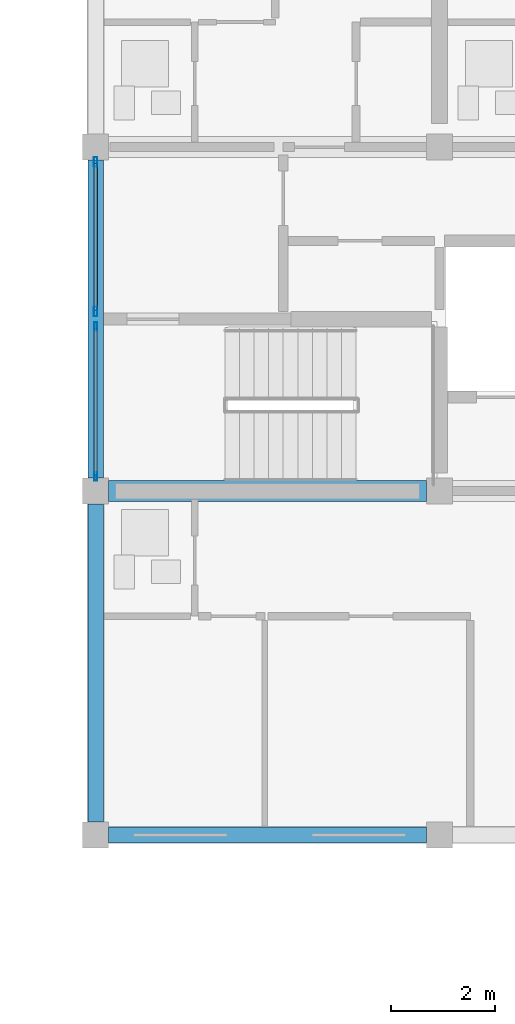
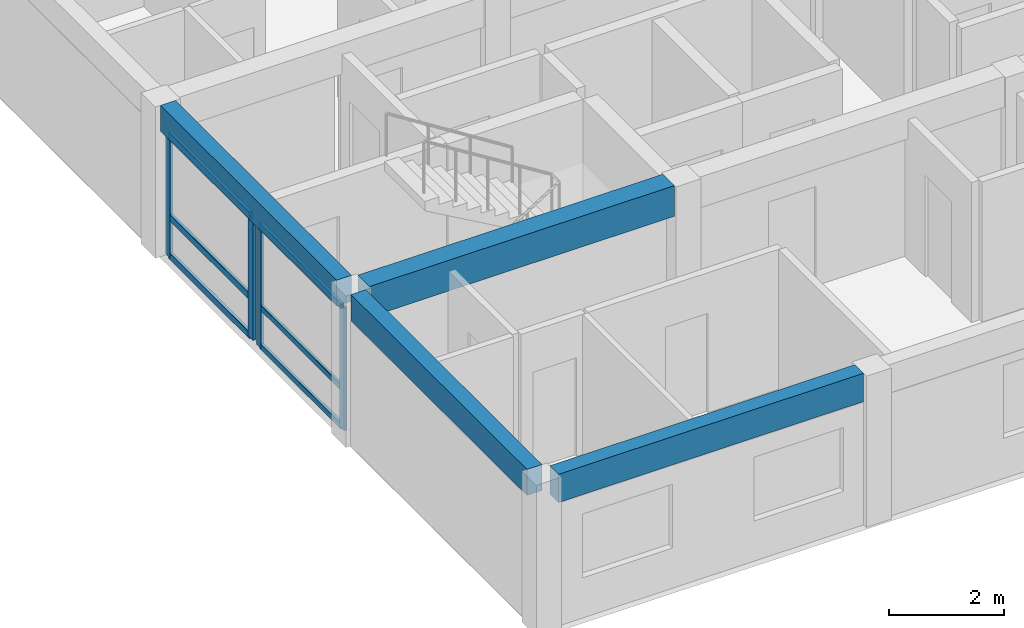
# One storey, part 19 of 45: 10 members, 4 beams, 2 elements without a shape of their own.
"""IFC4 building model written with IfcOpenShell, lengths in metres."""

from ifc_helpers import new_model, si_unit, direction, frame, origin, origin_2d, place, context, subcontext, project, spatial, rectangle, hollow_rectangle, extrude, material, material_profile, profile_set, type_object, element, aggregate, save


model = new_model("IFC4")

# Units and contexts
model_context = context("Model", 3, precision=1e-05, world=origin(), true_north=direction((0.0, 1.0)))
body_context = subcontext(model_context, "Body", "Model", "MODEL_VIEW")
ifc_project = project(units=[si_unit("LENGTHUNIT", "METRE"), si_unit("AREAUNIT", "SQUARE_METRE"), si_unit("VOLUMEUNIT", "CUBIC_METRE"), si_unit("PLANEANGLEUNIT", "RADIAN"), si_unit("MASSUNIT", "GRAM", prefix="KILO")], contexts=[model_context])

# Site, building, storey
site_placement = place(None, origin())
site = spatial("IfcSite", under=ifc_project, at=site_placement, CompositionType="ELEMENT")
building_placement = place(site_placement, origin())
building = spatial("IfcBuilding", under=site, at=building_placement, Name="Kernevlak Ridge Housing Community", CompositionType="ELEMENT")
storey_placement = place(building_placement, frame((0.0, 0.0, 21.199951171875)))
storey = spatial("IfcBuildingStorey", under=building, at=storey_placement, Name="L06", CompositionType="ELEMENT", Elevation=21.199951171875)

# Beam
ifc_material_1 = material(Name="Concrete C35/45", Category="concrete")
ifc_material_profile_1 = material_profile(ifc_material_1, rectangle(XDim=0.39990234375, YDim=0.64990234375, at=origin_2d()), Name="RC 400x650")
ifc_profile_set_1 = profile_set([ifc_material_profile_1], Name="Concrete C35/45")
beam_type_1 = type_object("IfcBeamType", Name="B-03", PredefinedType="T_BEAM", material=ifc_profile_set_1)
beam_1_placement = place(storey_placement, frame((119.64990234375, 89.199951171875, 2.875), z_axis=(1.0, 0.0, 0.0), x_axis=(0.0, 1.0, 0.0)))
element("IfcBeam", 1, at=beam_1_placement, inside=storey, type_object=beam_type_1, Name="Beam B-03 L06 738", PredefinedType="T_BEAM", context=body_context, shape_type="SweptSolid", body=[
    extrude(rectangle(XDim=0.39990234375, YDim=0.64990234375, at=origin_2d()), origin(), (0.0, 0.0, 1.0), 6.10009765625),
])

# Curtain wall, members
ifc_material_2 = material(Name="Aluminium EN AW-6060 anodised and laminated glass", Category="aluminium")
curtain_wall_type_1 = type_object("IfcCurtainWallType", Name="CW-04", PredefinedType="NOTDEFINED", material=ifc_material_2)
curtain_wall_1_placement = place(storey_placement, origin())
curtain_wall_1 = element("IfcCurtainWall", 2, at=curtain_wall_1_placement, inside=storey, type_object=curtain_wall_type_1, Name="Curtain wall CW-04 CW-L06-073", PredefinedType="NOTDEFINED")
ifc_material_3 = material(Name="Aluminium EN AW-6060 anodised", Category="aluminium")
ifc_material_profile_2 = material_profile(ifc_material_3, hollow_rectangle(XDim=0.06005859375, YDim=0.159912109375, WallThickness=0.00390625, InnerFilletRadius=0.001953125, OuterFilletRadius=0.00390625, at=origin_2d()), Name="ALU 60x160x4")
ifc_profile_set_2 = profile_set([ifc_material_profile_2], Name="Aluminium EN AW-6060 anodised")
member_type_1 = type_object("IfcMemberType", Name="MU-02", PredefinedType="MULLION", material=ifc_profile_set_2)
member_1_placement = place(storey_placement, frame((119.39990234375, 89.47998046875, 0.0), z_axis=(0.0, 0.0, 1.0), x_axis=(-1.0, 0.0, 0.0)))
member_1 = element("IfcMember", 3, at=member_1_placement, type_object=member_type_1, Name="CW-04 mullion 1", PredefinedType="MULLION", context=body_context, shape_type="SweptSolid", body=[
    extrude(hollow_rectangle(XDim=0.06005859375, YDim=0.159912109375, WallThickness=0.00390625, InnerFilletRadius=0.001953125, OuterFilletRadius=0.00390625, at=origin_2d()), origin(), (0.0, 0.0, 1.0), 2.60009765625),
])
member_2_placement = place(storey_placement, frame((119.39990234375, 92.360107421875, 0.0), z_axis=(0.0, 0.0, 1.0), x_axis=(-1.0, 0.0, 0.0)))
member_2 = element("IfcMember", 4, at=member_2_placement, type_object=member_type_1, Name="CW-04 mullion 2", PredefinedType="MULLION", context=body_context, shape_type="SweptSolid", body=[
    extrude(hollow_rectangle(XDim=0.06005859375, YDim=0.159912109375, WallThickness=0.00390625, InnerFilletRadius=0.001953125, OuterFilletRadius=0.00390625, at=origin_2d()), origin(), (0.0, 0.0, 1.0), 2.60009765625),
])

curtain_wall_type_2 = type_object("IfcCurtainWallType", Name="CW-10", PredefinedType="NOTDEFINED", material=ifc_material_2)
curtain_wall_2_placement = place(storey_placement, origin())
curtain_wall_2 = element("IfcCurtainWall", 5, at=curtain_wall_2_placement, inside=storey, type_object=curtain_wall_type_2, Name="Curtain wall CW-10 CW-L06-074", PredefinedType="NOTDEFINED")
ifc_material_profile_3 = material_profile(ifc_material_3, hollow_rectangle(XDim=0.06494140625, YDim=0.179931640625, WallThickness=0.00439453125, InnerFilletRadius=0.001953125, OuterFilletRadius=0.00439453125, at=origin_2d()), Name="ALU 65x180x4.5")
ifc_profile_set_3 = profile_set([ifc_material_profile_3], Name="Aluminium EN AW-6060 anodised")
member_type_2 = type_object("IfcMemberType", Name="MU-03", PredefinedType="MULLION", material=ifc_profile_set_3)
member_3_placement = place(storey_placement, frame((119.39990234375, 92.642578125, 0.0), z_axis=(0.0, 0.0, 1.0), x_axis=(-1.0, 0.0, 0.0)))
member_3 = element("IfcMember", 6, at=member_3_placement, type_object=member_type_2, Name="CW-10 mullion 1", PredefinedType="MULLION", context=body_context, shape_type="SweptSolid", body=[
    extrude(hollow_rectangle(XDim=0.06494140625, YDim=0.179931640625, WallThickness=0.00439453125, InnerFilletRadius=0.001953125, OuterFilletRadius=0.00439453125, at=origin_2d()), origin(), (0.0, 0.0, 1.0), 2.60009765625),
])
member_4_placement = place(storey_placement, frame((119.39990234375, 95.517578125, 0.0), z_axis=(0.0, 0.0, 1.0), x_axis=(-1.0, 0.0, 0.0)))
member_4 = element("IfcMember", 7, at=member_4_placement, type_object=member_type_2, Name="CW-10 mullion 2", PredefinedType="MULLION", context=body_context, shape_type="SweptSolid", body=[
    extrude(hollow_rectangle(XDim=0.06494140625, YDim=0.179931640625, WallThickness=0.00439453125, InnerFilletRadius=0.001953125, OuterFilletRadius=0.00439453125, at=origin_2d()), origin(), (0.0, 0.0, 1.0), 2.60009765625),
])

# Beams
ifc_material_profile_4 = material_profile(ifc_material_1, rectangle(XDim=0.300048828125, YDim=0.550048828125, at=origin_2d()), Name="RC 300x550")
ifc_profile_set_4 = profile_set([ifc_material_profile_4], Name="Concrete C35/45")
beam_type_2 = type_object("IfcBeamType", Name="SP-01", PredefinedType="SPANDREL", material=ifc_profile_set_4)
beam_2_placement = place(storey_placement, frame((119.39990234375, 82.85009765625, 2.925048828125), z_axis=(0.0, 1.0, 0.0), x_axis=(-1.0, 0.0, 0.0)))
element("IfcBeam", 8, at=beam_2_placement, inside=storey, type_object=beam_type_2, Name="Beam SP-01 L06 753", PredefinedType="SPANDREL", context=body_context, shape_type="SweptSolid", body=[
    extrude(rectangle(XDim=0.300048828125, YDim=0.550048828125, at=origin_2d()), origin(), (0.0, 0.0, 1.0), 6.099853515625),
])
beam_3_placement = place(storey_placement, frame((119.39990234375, 89.449951171875, 2.925048828125), z_axis=(0.0, 1.0, 0.0), x_axis=(-1.0, 0.0, 0.0)))
element("IfcBeam", 9, at=beam_3_placement, inside=storey, type_object=beam_type_2, Name="Beam SP-01 L06 754", PredefinedType="SPANDREL", context=body_context, shape_type="SweptSolid", body=[
    extrude(rectangle(XDim=0.300048828125, YDim=0.550048828125, at=origin_2d()), origin(), (0.0, 0.0, 1.0), 6.10009765625),
])
ifc_material_profile_5 = material_profile(ifc_material_1, rectangle(XDim=0.300048828125, YDim=0.60009765625, at=origin_2d()), Name="RC 300x600")
ifc_profile_set_5 = profile_set([ifc_material_profile_5], Name="Concrete C35/45")
beam_type_3 = type_object("IfcBeamType", Name="SP-02", PredefinedType="SPANDREL", material=ifc_profile_set_5)
beam_4_placement = place(storey_placement, frame((119.64990234375, 82.60009765625, 2.900146484375), z_axis=(1.0, 0.0, 0.0), x_axis=(0.0, 1.0, 0.0)))
element("IfcBeam", 10, at=beam_4_placement, inside=storey, type_object=beam_type_3, Name="Beam SP-02 L06 733", PredefinedType="SPANDREL", context=body_context, shape_type="SweptSolid", body=[
    extrude(rectangle(XDim=0.300048828125, YDim=0.60009765625, at=origin_2d()), origin(), (0.0, 0.0, 1.0), 6.10009765625),
])

# Member
ifc_material_profile_6 = material_profile(ifc_material_3, hollow_rectangle(XDim=0.06005859375, YDim=0.1201171875, WallThickness=0.00390625, InnerFilletRadius=0.001953125, OuterFilletRadius=0.00390625, at=origin_2d()), Name="ALU 60x120x4")
ifc_profile_set_6 = profile_set([ifc_material_profile_6], Name="Aluminium EN AW-6060 anodised")
member_type_3 = type_object("IfcMemberType", Name="TM-02", PredefinedType="USERDEFINED", material=ifc_profile_set_6)
member_5_placement = place(storey_placement, frame((119.39990234375, 89.510009765625, 0.030029296875), z_axis=(0.0, 1.0, 0.0), x_axis=(-1.0, 0.0, 0.0)))
member_5 = element("IfcMember", 11, at=member_5_placement, type_object=member_type_3, Name="CW-04 transom 1.1", ObjectType="TRANSOM", PredefinedType="USERDEFINED", context=body_context, shape_type="SweptSolid", body=[
    extrude(hollow_rectangle(XDim=0.06005859375, YDim=0.1201171875, WallThickness=0.00390625, InnerFilletRadius=0.001953125, OuterFilletRadius=0.00390625, at=origin_2d()), origin(), (0.0, 0.0, 1.0), 2.820068359375),
])

member_6_placement = place(storey_placement, frame((119.39990234375, 89.510009765625, 0.85009765625), z_axis=(0.0, 1.0, 0.0), x_axis=(-1.0, 0.0, 0.0)))
member_6 = element("IfcMember", 12, at=member_6_placement, type_object=member_type_3, Name="CW-04 transom 1.2", ObjectType="TRANSOM", PredefinedType="USERDEFINED", context=body_context, shape_type="SweptSolid", body=[
    extrude(hollow_rectangle(XDim=0.06005859375, YDim=0.1201171875, WallThickness=0.00390625, InnerFilletRadius=0.001953125, OuterFilletRadius=0.00390625, at=origin_2d()), origin(), (0.0, 0.0, 1.0), 2.820068359375),
])

member_7_placement = place(storey_placement, frame((119.39990234375, 89.510009765625, 2.570068359375), z_axis=(0.0, 1.0, 0.0), x_axis=(-1.0, 0.0, 0.0)))
member_7 = element("IfcMember", 13, at=member_7_placement, type_object=member_type_3, Name="CW-04 transom 1.3", ObjectType="TRANSOM", PredefinedType="USERDEFINED", context=body_context, shape_type="SweptSolid", body=[
    extrude(hollow_rectangle(XDim=0.06005859375, YDim=0.1201171875, WallThickness=0.00390625, InnerFilletRadius=0.001953125, OuterFilletRadius=0.00390625, at=origin_2d()), origin(), (0.0, 0.0, 1.0), 2.820068359375),
])

aggregate(curtain_wall_1, [member_1, member_2, member_5, member_6, member_7])

ifc_material_profile_7 = material_profile(ifc_material_3, hollow_rectangle(XDim=0.06494140625, YDim=0.139892578125, WallThickness=0.00390625, InnerFilletRadius=0.001953125, OuterFilletRadius=0.00390625, at=origin_2d()), Name="ALU 65x140x4")
ifc_profile_set_7 = profile_set([ifc_material_profile_7], Name="Aluminium EN AW-6060 anodised")
member_type_4 = type_object("IfcMemberType", Name="TM-03", PredefinedType="USERDEFINED", material=ifc_profile_set_7)
member_8_placement = place(storey_placement, frame((119.39990234375, 92.675048828125, 0.032470703125), z_axis=(0.0, 1.0, 0.0), x_axis=(-1.0, 0.0, 0.0)))
member_8 = element("IfcMember", 14, at=member_8_placement, type_object=member_type_4, Name="CW-10 transom 1.1", ObjectType="TRANSOM", PredefinedType="USERDEFINED", context=body_context, shape_type="SweptSolid", body=[
    extrude(hollow_rectangle(XDim=0.06494140625, YDim=0.139892578125, WallThickness=0.00390625, InnerFilletRadius=0.001953125, OuterFilletRadius=0.00390625, at=origin_2d()), origin(), (0.0, 0.0, 1.0), 2.81005859375),
])

member_9_placement = place(storey_placement, frame((119.39990234375, 92.675048828125, 0.85009765625), z_axis=(0.0, 1.0, 0.0), x_axis=(-1.0, 0.0, 0.0)))
member_9 = element("IfcMember", 15, at=member_9_placement, type_object=member_type_4, Name="CW-10 transom 1.2", ObjectType="TRANSOM", PredefinedType="USERDEFINED", context=body_context, shape_type="SweptSolid", body=[
    extrude(hollow_rectangle(XDim=0.06494140625, YDim=0.139892578125, WallThickness=0.00390625, InnerFilletRadius=0.001953125, OuterFilletRadius=0.00390625, at=origin_2d()), origin(), (0.0, 0.0, 1.0), 2.81005859375),
])

member_10_placement = place(storey_placement, frame((119.39990234375, 92.675048828125, 2.567626953125), z_axis=(0.0, 1.0, 0.0), x_axis=(-1.0, 0.0, 0.0)))
member_10 = element("IfcMember", 16, at=member_10_placement, type_object=member_type_4, Name="CW-10 transom 1.3", ObjectType="TRANSOM", PredefinedType="USERDEFINED", context=body_context, shape_type="SweptSolid", body=[
    extrude(hollow_rectangle(XDim=0.06494140625, YDim=0.139892578125, WallThickness=0.00390625, InnerFilletRadius=0.001953125, OuterFilletRadius=0.00390625, at=origin_2d()), origin(), (0.0, 0.0, 1.0), 2.81005859375),
])

aggregate(curtain_wall_2, [member_3, member_4, member_8, member_9, member_10])

save(model, "model.ifc")
